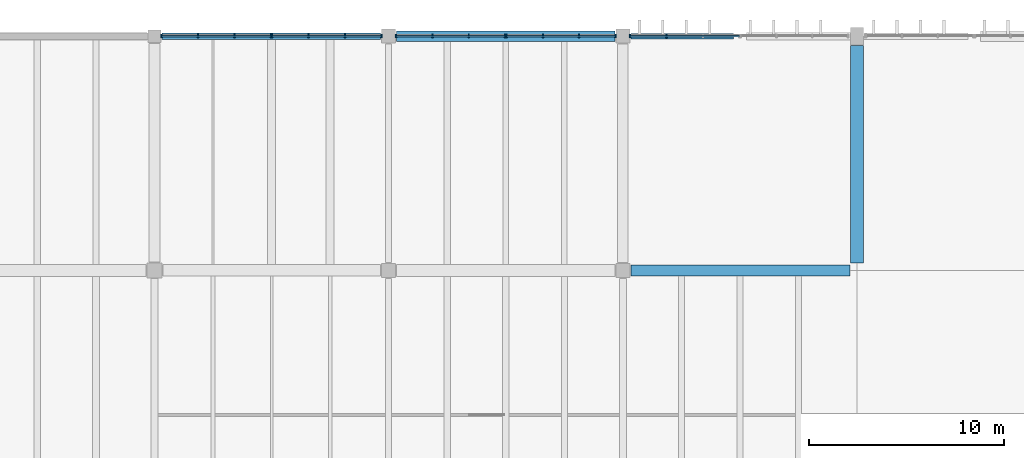
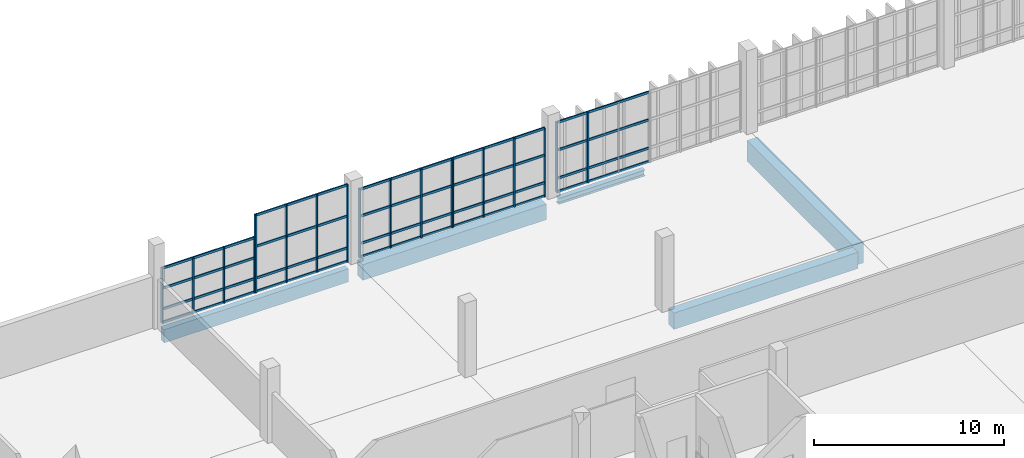
# One storey, part 52 of 112: 38 members, 5 beams, 5 elements without a shape of their own.
"""IFC4 building model written with IfcOpenShell, lengths in metres."""

from ifc_helpers import new_model, si_unit, direction, frame, origin, origin_2d, place, context, subcontext, project, spatial, rectangle, i_section, extrude, material, material_profile, profile_set, type_object, element, aggregate, save


model = new_model("IFC4")

# Units and contexts
model_context = context("Model", 3, precision=1e-05, world=origin(), true_north=direction((0.0, 1.0)))
body_context = subcontext(model_context, "Body", "Model", "MODEL_VIEW")
ifc_project = project(units=[si_unit("LENGTHUNIT", "METRE"), si_unit("AREAUNIT", "SQUARE_METRE"), si_unit("VOLUMEUNIT", "CUBIC_METRE"), si_unit("PLANEANGLEUNIT", "RADIAN"), si_unit("MASSUNIT", "GRAM", prefix="KILO")], contexts=[model_context])

# Site, building, storey
site_placement = place(None, origin())
site = spatial("IfcSite", under=ifc_project, at=site_placement, CompositionType="ELEMENT")
building_placement = place(site_placement, origin())
building = spatial("IfcBuilding", under=site, at=building_placement, Name="Kamomehara Wholesale Market", CompositionType="ELEMENT")
storey_placement = place(building_placement, frame((0.0, 0.0, 6.60009765625)))
storey = spatial("IfcBuildingStorey", under=building, at=storey_placement, Name="L01", CompositionType="ELEMENT", Elevation=6.60009765625)

# Beams
ifc_material_1 = material(Name="Precast concrete Fc45 (C40/50)", Category="concrete")
ifc_material_profile_1 = material_profile(ifc_material_1, rectangle(XDim=0.550048828125, YDim=1.050048828125, at=origin_2d()), Name="PC-GRD-550x1050")
ifc_profile_set_1 = profile_set([ifc_material_profile_1], Name="Precast concrete Fc45 (C40/50)")
beam_type_1 = type_object("IfcBeamType", Name="BM-PG1050", PredefinedType="T_BEAM", material=ifc_profile_set_1)
beam_1_placement = place(storey_placement, frame((60.409912109375, 144.0, -0.877197265625), z_axis=(1.0, 0.0, 0.0), x_axis=(0.0, 1.0, 0.0)))
element("IfcBeam", 1, at=beam_1_placement, inside=storey, type_object=beam_type_1, Name="Beam PG-08 L01", PredefinedType="T_BEAM", context=body_context, shape_type="SweptSolid", body=[
    extrude(rectangle(XDim=0.550048828125, YDim=1.050048828125, at=origin_2d()), origin(), (0.0, 0.0, 1.0), 11.215087890625),
])
ifc_material_2 = material(Name="Precast concrete Fc45 (C40/50)", Category="concrete")
ifc_material_profile_2 = material_profile(ifc_material_2, rectangle(XDim=0.64990234375, YDim=1.35009765625, at=origin_2d()), Name="PC-GRD-650x1350")
ifc_profile_set_2 = profile_set([ifc_material_profile_2], Name="Precast concrete Fc45 (C40/50)")
beam_type_2 = type_object("IfcBeamType", Name="BM-PG1350", PredefinedType="T_BEAM", material=ifc_profile_set_2)
beam_2_placement = place(storey_placement, frame((72.0, 144.375, -1.007080078125), z_axis=(0.0, 1.0, 0.0), x_axis=(-1.0, 0.0, 0.0)))
element("IfcBeam", 2, at=beam_2_placement, inside=storey, type_object=beam_type_2, Name="Beam PG-03 L01", PredefinedType="T_BEAM", context=body_context, shape_type="SweptSolid", body=[
    extrude(rectangle(XDim=0.64990234375, YDim=1.35009765625, at=origin_2d()), origin(), (0.0, 0.0, 1.0), 11.14990234375),
])
ifc_material_3 = material(Name="Concrete Fc36 (C35/45)", Category="concrete")
ifc_material_profile_3 = material_profile(ifc_material_3, rectangle(XDim=0.550048828125, YDim=1.0, at=origin_2d()), Name="RC-SEB-550x1000")
ifc_profile_set_3 = profile_set([ifc_material_profile_3], Name="Concrete Fc36 (C35/45)")
beam_type_3 = type_object("IfcBeamType", Name="BM-SEB1000-EXT", PredefinedType="SPANDREL", material=ifc_profile_set_3)
beam_3_placement = place(storey_placement, frame((48.409912109375, 156.0, -0.822021484375), z_axis=(1.0, 0.0, 0.0), x_axis=(0.0, 1.0, 0.0)))
element("IfcBeam", 3, at=beam_3_placement, inside=storey, type_object=beam_type_3, Name="Beam SEB-03E L01", PredefinedType="SPANDREL", context=body_context, shape_type="SweptSolid", body=[
    extrude(rectangle(XDim=0.550048828125, YDim=1.0, at=origin_2d()), origin(), (0.0, 0.0, 1.0), 11.18017578125),
])
ifc_material_4 = material(Name="Precast concrete Fc45 (C40/50)", Category="concrete")
ifc_material_profile_4 = material_profile(ifc_material_4, rectangle(XDim=0.35009765625, YDim=0.85009765625, at=origin_2d()), Name="PC-SPN-350x850")
ifc_profile_set_4 = profile_set([ifc_material_profile_4], Name="Precast concrete Fc45 (C40/50)")
beam_type_4 = type_object("IfcBeamType", Name="BM-SPN850-EXT", PredefinedType="SPANDREL", material=ifc_profile_set_4)
beam_4_placement = place(storey_placement, frame((36.375, 156.0, -0.76708984375), z_axis=(1.0, 0.0, 0.0), x_axis=(0.0, 1.0, 0.0)))
element("IfcBeam", 4, at=beam_4_placement, inside=storey, type_object=beam_type_4, Name="Beam SPN-02E L01", PredefinedType="SPANDREL", context=body_context, shape_type="SweptSolid", body=[
    extrude(rectangle(XDim=0.35009765625, YDim=0.85009765625, at=origin_2d()), origin(), (0.0, 0.0, 1.0), 11.215087890625),
])
ifc_material_5 = material(Name="Steel SN490B", Category="steel")
ifc_material_profile_5 = material_profile(ifc_material_5, i_section(OverallWidth=0.300048828125, OverallDepth=0.389892578125, WebThickness=0.010009765625, FlangeThickness=0.01611328125, FilletRadius=0.01806640625, at=origin_2d()), Name="H-390x300x10x16")
ifc_profile_set_5 = profile_set([ifc_material_profile_5], Name="Steel SN490B")
beam_type_5 = type_object("IfcBeamType", Name="BM-ST-H390-EXT", PredefinedType="SPANDREL", material=ifc_profile_set_5)
beam_5_placement = place(storey_placement, frame((60.409912109375, 156.0, -0.51708984375), z_axis=(1.0, 0.0, 0.0), x_axis=(0.0, 1.0, 0.0)))
element("IfcBeam", 5, at=beam_5_placement, inside=storey, type_object=beam_type_5, Name="Beam SJ-03E L01", PredefinedType="SPANDREL", context=body_context, shape_type="SweptSolid", body=[
    extrude(i_section(OverallWidth=0.300048828125, OverallDepth=0.389892578125, WebThickness=0.010009765625, FlangeThickness=0.01611328125, FilletRadius=0.01806640625, at=origin_2d()), origin(), (0.0, 0.0, 1.0), 5.26513671875),
])

# Curtain wall, members
ifc_material_6 = material(Name="Anodised aluminium 6063-T5", Category="aluminium")
curtain_wall_type = type_object("IfcCurtainWallType", Name="CW-UN-02", PredefinedType="NOTDEFINED", material=ifc_material_6)
curtain_wall_1_placement = place(storey_placement, origin())
curtain_wall_1 = element("IfcCurtainWall", 6, at=curtain_wall_1_placement, inside=storey, type_object=curtain_wall_type, Name="Unitised curtain wall CW-049", PredefinedType="NOTDEFINED")
ifc_material_7 = material(Name="Anodised aluminium 6063-T5", Category="aluminium")
ifc_material_profile_6 = material_profile(ifc_material_7, rectangle(XDim=0.074951171875, YDim=0.179931640625, at=origin_2d()), Name="ALU-MUL-75x180")
ifc_profile_set_6 = profile_set([ifc_material_profile_6], Name="Anodised aluminium 6063-T5")
member_type_1 = type_object("IfcMemberType", Name="CW-MUL-180", PredefinedType="MULLION", material=ifc_profile_set_6)
member_1_placement = place(storey_placement, frame((36.35009765625, 156.0, 0.0), z_axis=(0.0, 0.0, 1.0), x_axis=(1.0, 0.0, 0.0)))
member_1 = element("IfcMember", 7, at=member_1_placement, type_object=member_type_1, Name="Mullion CW-049.0", PredefinedType="MULLION", context=body_context, shape_type="SweptSolid", body=[
    extrude(rectangle(XDim=0.074951171875, YDim=0.179931640625, at=origin_2d()), origin(), (0.0, 0.0, 1.0), 3.56884765625),
])
member_2_placement = place(storey_placement, frame((38.222900390625, 156.0, 0.0), z_axis=(0.0, 0.0, 1.0), x_axis=(1.0, 0.0, 0.0)))
member_2 = element("IfcMember", 8, at=member_2_placement, type_object=member_type_1, Name="Mullion CW-049.1", PredefinedType="MULLION", context=body_context, shape_type="SweptSolid", body=[
    extrude(rectangle(XDim=0.074951171875, YDim=0.179931640625, at=origin_2d()), origin(), (0.0, 0.0, 1.0), 3.56884765625),
])
member_3_placement = place(storey_placement, frame((40.096923828125, 156.0, 0.0), z_axis=(0.0, 0.0, 1.0), x_axis=(1.0, 0.0, 0.0)))
member_3 = element("IfcMember", 9, at=member_3_placement, type_object=member_type_1, Name="Mullion CW-049.2", PredefinedType="MULLION", context=body_context, shape_type="SweptSolid", body=[
    extrude(rectangle(XDim=0.074951171875, YDim=0.179931640625, at=origin_2d()), origin(), (0.0, 0.0, 1.0), 3.56884765625),
])
member_4_placement = place(storey_placement, frame((41.969970703125, 156.0, 0.0), z_axis=(0.0, 0.0, 1.0), x_axis=(1.0, 0.0, 0.0)))
member_4 = element("IfcMember", 10, at=member_4_placement, type_object=member_type_1, Name="Mullion CW-049.3", PredefinedType="MULLION", context=body_context, shape_type="SweptSolid", body=[
    extrude(rectangle(XDim=0.074951171875, YDim=0.179931640625, at=origin_2d()), origin(), (0.0, 0.0, 1.0), 3.56884765625),
])

curtain_wall_2_placement = place(storey_placement, origin())
curtain_wall_2 = element("IfcCurtainWall", 11, at=curtain_wall_2_placement, inside=storey, type_object=curtain_wall_type, Name="Unitised curtain wall CW-050", PredefinedType="NOTDEFINED")
member_5_placement = place(storey_placement, frame((42.030029296875, 156.0, 0.0), z_axis=(0.0, 0.0, 1.0), x_axis=(1.0, 0.0, 0.0)))
member_5 = element("IfcMember", 12, at=member_5_placement, type_object=member_type_1, Name="Mullion CW-050.0", PredefinedType="MULLION", context=body_context, shape_type="SweptSolid", body=[
    extrude(rectangle(XDim=0.074951171875, YDim=0.179931640625, at=origin_2d()), origin(), (0.0, 0.0, 1.0), 4.989990234375),
])
member_6_placement = place(storey_placement, frame((43.89697265625, 156.0, 0.0), z_axis=(0.0, 0.0, 1.0), x_axis=(1.0, 0.0, 0.0)))
member_6 = element("IfcMember", 13, at=member_6_placement, type_object=member_type_1, Name="Mullion CW-050.1", PredefinedType="MULLION", context=body_context, shape_type="SweptSolid", body=[
    extrude(rectangle(XDim=0.074951171875, YDim=0.179931640625, at=origin_2d()), origin(), (0.0, 0.0, 1.0), 4.989990234375),
])
member_7_placement = place(storey_placement, frame((45.762939453125, 156.0, 0.0), z_axis=(0.0, 0.0, 1.0), x_axis=(1.0, 0.0, 0.0)))
member_7 = element("IfcMember", 14, at=member_7_placement, type_object=member_type_1, Name="Mullion CW-050.2", PredefinedType="MULLION", context=body_context, shape_type="SweptSolid", body=[
    extrude(rectangle(XDim=0.074951171875, YDim=0.179931640625, at=origin_2d()), origin(), (0.0, 0.0, 1.0), 4.989990234375),
])
member_8_placement = place(storey_placement, frame((47.6298828125, 156.0, 0.0), z_axis=(0.0, 0.0, 1.0), x_axis=(1.0, 0.0, 0.0)))
member_8 = element("IfcMember", 15, at=member_8_placement, type_object=member_type_1, Name="Mullion CW-050.3", PredefinedType="MULLION", context=body_context, shape_type="SweptSolid", body=[
    extrude(rectangle(XDim=0.074951171875, YDim=0.179931640625, at=origin_2d()), origin(), (0.0, 0.0, 1.0), 4.989990234375),
])

curtain_wall_3_placement = place(storey_placement, origin())
curtain_wall_3 = element("IfcCurtainWall", 16, at=curtain_wall_3_placement, inside=storey, type_object=curtain_wall_type, Name="Unitised curtain wall CW-053", PredefinedType="NOTDEFINED")
member_9_placement = place(storey_placement, frame((48.3701171875, 156.0, 0.0), z_axis=(0.0, 0.0, 1.0), x_axis=(1.0, 0.0, 0.0)))
member_9 = element("IfcMember", 17, at=member_9_placement, type_object=member_type_1, Name="Mullion CW-053.0", PredefinedType="MULLION", context=body_context, shape_type="SweptSolid", body=[
    extrude(rectangle(XDim=0.074951171875, YDim=0.179931640625, at=origin_2d()), origin(), (0.0, 0.0, 1.0), 4.429931640625),
])
member_10_placement = place(storey_placement, frame((50.237060546875, 156.0, 0.0), z_axis=(0.0, 0.0, 1.0), x_axis=(1.0, 0.0, 0.0)))
member_10 = element("IfcMember", 18, at=member_10_placement, type_object=member_type_1, Name="Mullion CW-053.1", PredefinedType="MULLION", context=body_context, shape_type="SweptSolid", body=[
    extrude(rectangle(XDim=0.074951171875, YDim=0.179931640625, at=origin_2d()), origin(), (0.0, 0.0, 1.0), 4.429931640625),
])
member_11_placement = place(storey_placement, frame((52.10302734375, 156.0, 0.0), z_axis=(0.0, 0.0, 1.0), x_axis=(1.0, 0.0, 0.0)))
member_11 = element("IfcMember", 19, at=member_11_placement, type_object=member_type_1, Name="Mullion CW-053.2", PredefinedType="MULLION", context=body_context, shape_type="SweptSolid", body=[
    extrude(rectangle(XDim=0.074951171875, YDim=0.179931640625, at=origin_2d()), origin(), (0.0, 0.0, 1.0), 4.429931640625),
])
member_12_placement = place(storey_placement, frame((53.969970703125, 156.0, 0.0), z_axis=(0.0, 0.0, 1.0), x_axis=(1.0, 0.0, 0.0)))
member_12 = element("IfcMember", 20, at=member_12_placement, type_object=member_type_1, Name="Mullion CW-053.3", PredefinedType="MULLION", context=body_context, shape_type="SweptSolid", body=[
    extrude(rectangle(XDim=0.074951171875, YDim=0.179931640625, at=origin_2d()), origin(), (0.0, 0.0, 1.0), 4.429931640625),
])

curtain_wall_4_placement = place(storey_placement, origin())
curtain_wall_4 = element("IfcCurtainWall", 21, at=curtain_wall_4_placement, inside=storey, type_object=curtain_wall_type, Name="Unitised curtain wall CW-054", PredefinedType="NOTDEFINED")
member_13_placement = place(storey_placement, frame((54.030029296875, 156.0, 0.0), z_axis=(0.0, 0.0, 1.0), x_axis=(1.0, 0.0, 0.0)))
member_13 = element("IfcMember", 22, at=member_13_placement, type_object=member_type_1, Name="Mullion CW-054.0", PredefinedType="MULLION", context=body_context, shape_type="SweptSolid", body=[
    extrude(rectangle(XDim=0.074951171875, YDim=0.179931640625, at=origin_2d()), origin(), (0.0, 0.0, 1.0), 4.429931640625),
])
member_14_placement = place(storey_placement, frame((55.89697265625, 156.0, 0.0), z_axis=(0.0, 0.0, 1.0), x_axis=(1.0, 0.0, 0.0)))
member_14 = element("IfcMember", 23, at=member_14_placement, type_object=member_type_1, Name="Mullion CW-054.1", PredefinedType="MULLION", context=body_context, shape_type="SweptSolid", body=[
    extrude(rectangle(XDim=0.074951171875, YDim=0.179931640625, at=origin_2d()), origin(), (0.0, 0.0, 1.0), 4.429931640625),
])
member_15_placement = place(storey_placement, frame((57.762939453125, 156.0, 0.0), z_axis=(0.0, 0.0, 1.0), x_axis=(1.0, 0.0, 0.0)))
member_15 = element("IfcMember", 24, at=member_15_placement, type_object=member_type_1, Name="Mullion CW-054.2", PredefinedType="MULLION", context=body_context, shape_type="SweptSolid", body=[
    extrude(rectangle(XDim=0.074951171875, YDim=0.179931640625, at=origin_2d()), origin(), (0.0, 0.0, 1.0), 4.429931640625),
])
member_16_placement = place(storey_placement, frame((59.6298828125, 156.0, 0.0), z_axis=(0.0, 0.0, 1.0), x_axis=(1.0, 0.0, 0.0)))
member_16 = element("IfcMember", 25, at=member_16_placement, type_object=member_type_1, Name="Mullion CW-054.3", PredefinedType="MULLION", context=body_context, shape_type="SweptSolid", body=[
    extrude(rectangle(XDim=0.074951171875, YDim=0.179931640625, at=origin_2d()), origin(), (0.0, 0.0, 1.0), 4.429931640625),
])

curtain_wall_5_placement = place(storey_placement, origin())
curtain_wall_5 = element("IfcCurtainWall", 26, at=curtain_wall_5_placement, inside=storey, type_object=curtain_wall_type, Name="Unitised curtain wall CW-057", PredefinedType="NOTDEFINED")
member_17_placement = place(storey_placement, frame((60.3701171875, 156.0, 0.0), z_axis=(0.0, 0.0, 1.0), x_axis=(1.0, 0.0, 0.0)))
member_17 = element("IfcMember", 27, at=member_17_placement, type_object=member_type_1, Name="Mullion CW-057.0", PredefinedType="MULLION", context=body_context, shape_type="SweptSolid", body=[
    extrude(rectangle(XDim=0.074951171875, YDim=0.179931640625, at=origin_2d()), origin(), (0.0, 0.0, 1.0), 4.52978515625),
])
member_18_placement = place(storey_placement, frame((62.237060546875, 156.0, 0.0), z_axis=(0.0, 0.0, 1.0), x_axis=(1.0, 0.0, 0.0)))
member_18 = element("IfcMember", 28, at=member_18_placement, type_object=member_type_1, Name="Mullion CW-057.1", PredefinedType="MULLION", context=body_context, shape_type="SweptSolid", body=[
    extrude(rectangle(XDim=0.074951171875, YDim=0.179931640625, at=origin_2d()), origin(), (0.0, 0.0, 1.0), 4.52978515625),
])

# Member
ifc_material_8 = material(Name="Anodised aluminium 6063-T5", Category="aluminium")
ifc_material_profile_7 = material_profile(ifc_material_8, rectangle(XDim=0.074951171875, YDim=0.14990234375, at=origin_2d()), Name="ALU-TRN-75x150")
ifc_profile_set_7 = profile_set([ifc_material_profile_7], Name="Anodised aluminium 6063-T5")
member_type_2 = type_object("IfcMemberType", Name="CW-TRN-150", PredefinedType="USERDEFINED", material=ifc_profile_set_7)
member_19_placement = place(storey_placement, frame((36.35009765625, 156.0, 0.039794921875), z_axis=(1.0, 0.0, 0.0), x_axis=(0.0, 1.0, 0.0)))
member_19 = element("IfcMember", 29, at=member_19_placement, type_object=member_type_2, Name="Transom CW-049.0", ObjectType="TRANSOM", PredefinedType="USERDEFINED", context=body_context, shape_type="SweptSolid", body=[
    extrude(rectangle(XDim=0.074951171875, YDim=0.14990234375, at=origin_2d()), origin(), (0.0, 0.0, 1.0), 5.619873046875),
])

member_20_placement = place(storey_placement, frame((36.35009765625, 156.0, 0.89990234375), z_axis=(1.0, 0.0, 0.0), x_axis=(0.0, 1.0, 0.0)))
member_20 = element("IfcMember", 30, at=member_20_placement, type_object=member_type_2, Name="Transom CW-049.1", ObjectType="TRANSOM", PredefinedType="USERDEFINED", context=body_context, shape_type="SweptSolid", body=[
    extrude(rectangle(XDim=0.074951171875, YDim=0.14990234375, at=origin_2d()), origin(), (0.0, 0.0, 1.0), 5.619873046875),
])

member_21_placement = place(storey_placement, frame((36.35009765625, 156.0, 2.23486328125), z_axis=(1.0, 0.0, 0.0), x_axis=(0.0, 1.0, 0.0)))
member_21 = element("IfcMember", 31, at=member_21_placement, type_object=member_type_2, Name="Transom CW-049.2", ObjectType="TRANSOM", PredefinedType="USERDEFINED", context=body_context, shape_type="SweptSolid", body=[
    extrude(rectangle(XDim=0.074951171875, YDim=0.14990234375, at=origin_2d()), origin(), (0.0, 0.0, 1.0), 5.619873046875),
])

member_22_placement = place(storey_placement, frame((36.35009765625, 156.0, 3.52880859375), z_axis=(1.0, 0.0, 0.0), x_axis=(0.0, 1.0, 0.0)))
member_22 = element("IfcMember", 32, at=member_22_placement, type_object=member_type_2, Name="Transom CW-049.3", ObjectType="TRANSOM", PredefinedType="USERDEFINED", context=body_context, shape_type="SweptSolid", body=[
    extrude(rectangle(XDim=0.074951171875, YDim=0.14990234375, at=origin_2d()), origin(), (0.0, 0.0, 1.0), 5.619873046875),
])

aggregate(curtain_wall_1, [member_1, member_2, member_3, member_4, member_19, member_20, member_21, member_22])

member_23_placement = place(storey_placement, frame((42.030029296875, 156.0, 0.039794921875), z_axis=(1.0, 0.0, 0.0), x_axis=(0.0, 1.0, 0.0)))
member_23 = element("IfcMember", 33, at=member_23_placement, type_object=member_type_2, Name="Transom CW-050.0", ObjectType="TRANSOM", PredefinedType="USERDEFINED", context=body_context, shape_type="SweptSolid", body=[
    extrude(rectangle(XDim=0.074951171875, YDim=0.14990234375, at=origin_2d()), origin(), (0.0, 0.0, 1.0), 5.599853515625),
])

member_24_placement = place(storey_placement, frame((42.030029296875, 156.0, 0.89990234375), z_axis=(1.0, 0.0, 0.0), x_axis=(0.0, 1.0, 0.0)))
member_24 = element("IfcMember", 34, at=member_24_placement, type_object=member_type_2, Name="Transom CW-050.1", ObjectType="TRANSOM", PredefinedType="USERDEFINED", context=body_context, shape_type="SweptSolid", body=[
    extrude(rectangle(XDim=0.074951171875, YDim=0.14990234375, at=origin_2d()), origin(), (0.0, 0.0, 1.0), 5.599853515625),
])

member_25_placement = place(storey_placement, frame((42.030029296875, 156.0, 2.94482421875), z_axis=(1.0, 0.0, 0.0), x_axis=(0.0, 1.0, 0.0)))
member_25 = element("IfcMember", 35, at=member_25_placement, type_object=member_type_2, Name="Transom CW-050.2", ObjectType="TRANSOM", PredefinedType="USERDEFINED", context=body_context, shape_type="SweptSolid", body=[
    extrude(rectangle(XDim=0.074951171875, YDim=0.14990234375, at=origin_2d()), origin(), (0.0, 0.0, 1.0), 5.599853515625),
])

member_26_placement = place(storey_placement, frame((42.030029296875, 156.0, 4.949951171875), z_axis=(1.0, 0.0, 0.0), x_axis=(0.0, 1.0, 0.0)))
member_26 = element("IfcMember", 36, at=member_26_placement, type_object=member_type_2, Name="Transom CW-050.3", ObjectType="TRANSOM", PredefinedType="USERDEFINED", context=body_context, shape_type="SweptSolid", body=[
    extrude(rectangle(XDim=0.074951171875, YDim=0.14990234375, at=origin_2d()), origin(), (0.0, 0.0, 1.0), 5.599853515625),
])

aggregate(curtain_wall_2, [member_5, member_6, member_7, member_8, member_23, member_24, member_25, member_26])

member_27_placement = place(storey_placement, frame((48.3701171875, 156.0, 0.039794921875), z_axis=(1.0, 0.0, 0.0), x_axis=(0.0, 1.0, 0.0)))
member_27 = element("IfcMember", 37, at=member_27_placement, type_object=member_type_2, Name="Transom CW-053.0", ObjectType="TRANSOM", PredefinedType="USERDEFINED", context=body_context, shape_type="SweptSolid", body=[
    extrude(rectangle(XDim=0.074951171875, YDim=0.14990234375, at=origin_2d()), origin(), (0.0, 0.0, 1.0), 5.599853515625),
])

member_28_placement = place(storey_placement, frame((48.3701171875, 156.0, 0.89990234375), z_axis=(1.0, 0.0, 0.0), x_axis=(0.0, 1.0, 0.0)))
member_28 = element("IfcMember", 38, at=member_28_placement, type_object=member_type_2, Name="Transom CW-053.1", ObjectType="TRANSOM", PredefinedType="USERDEFINED", context=body_context, shape_type="SweptSolid", body=[
    extrude(rectangle(XDim=0.074951171875, YDim=0.14990234375, at=origin_2d()), origin(), (0.0, 0.0, 1.0), 5.599853515625),
])

member_29_placement = place(storey_placement, frame((48.3701171875, 156.0, 2.664794921875), z_axis=(1.0, 0.0, 0.0), x_axis=(0.0, 1.0, 0.0)))
member_29 = element("IfcMember", 39, at=member_29_placement, type_object=member_type_2, Name="Transom CW-053.2", ObjectType="TRANSOM", PredefinedType="USERDEFINED", context=body_context, shape_type="SweptSolid", body=[
    extrude(rectangle(XDim=0.074951171875, YDim=0.14990234375, at=origin_2d()), origin(), (0.0, 0.0, 1.0), 5.599853515625),
])

member_30_placement = place(storey_placement, frame((48.3701171875, 156.0, 4.389892578125), z_axis=(1.0, 0.0, 0.0), x_axis=(0.0, 1.0, 0.0)))
member_30 = element("IfcMember", 40, at=member_30_placement, type_object=member_type_2, Name="Transom CW-053.3", ObjectType="TRANSOM", PredefinedType="USERDEFINED", context=body_context, shape_type="SweptSolid", body=[
    extrude(rectangle(XDim=0.074951171875, YDim=0.14990234375, at=origin_2d()), origin(), (0.0, 0.0, 1.0), 5.599853515625),
])

aggregate(curtain_wall_3, [member_9, member_10, member_11, member_12, member_27, member_28, member_29, member_30])

member_31_placement = place(storey_placement, frame((54.030029296875, 156.0, 0.039794921875), z_axis=(1.0, 0.0, 0.0), x_axis=(0.0, 1.0, 0.0)))
member_31 = element("IfcMember", 41, at=member_31_placement, type_object=member_type_2, Name="Transom CW-054.0", ObjectType="TRANSOM", PredefinedType="USERDEFINED", context=body_context, shape_type="SweptSolid", body=[
    extrude(rectangle(XDim=0.074951171875, YDim=0.14990234375, at=origin_2d()), origin(), (0.0, 0.0, 1.0), 5.599853515625),
])

member_32_placement = place(storey_placement, frame((54.030029296875, 156.0, 0.89990234375), z_axis=(1.0, 0.0, 0.0), x_axis=(0.0, 1.0, 0.0)))
member_32 = element("IfcMember", 42, at=member_32_placement, type_object=member_type_2, Name="Transom CW-054.1", ObjectType="TRANSOM", PredefinedType="USERDEFINED", context=body_context, shape_type="SweptSolid", body=[
    extrude(rectangle(XDim=0.074951171875, YDim=0.14990234375, at=origin_2d()), origin(), (0.0, 0.0, 1.0), 5.599853515625),
])

member_33_placement = place(storey_placement, frame((54.030029296875, 156.0, 2.664794921875), z_axis=(1.0, 0.0, 0.0), x_axis=(0.0, 1.0, 0.0)))
member_33 = element("IfcMember", 43, at=member_33_placement, type_object=member_type_2, Name="Transom CW-054.2", ObjectType="TRANSOM", PredefinedType="USERDEFINED", context=body_context, shape_type="SweptSolid", body=[
    extrude(rectangle(XDim=0.074951171875, YDim=0.14990234375, at=origin_2d()), origin(), (0.0, 0.0, 1.0), 5.599853515625),
])

member_34_placement = place(storey_placement, frame((54.030029296875, 156.0, 4.389892578125), z_axis=(1.0, 0.0, 0.0), x_axis=(0.0, 1.0, 0.0)))
member_34 = element("IfcMember", 44, at=member_34_placement, type_object=member_type_2, Name="Transom CW-054.3", ObjectType="TRANSOM", PredefinedType="USERDEFINED", context=body_context, shape_type="SweptSolid", body=[
    extrude(rectangle(XDim=0.074951171875, YDim=0.14990234375, at=origin_2d()), origin(), (0.0, 0.0, 1.0), 5.599853515625),
])

aggregate(curtain_wall_4, [member_13, member_14, member_15, member_16, member_31, member_32, member_33, member_34])

member_35_placement = place(storey_placement, frame((60.3701171875, 156.0, 0.039794921875), z_axis=(1.0, 0.0, 0.0), x_axis=(0.0, 1.0, 0.0)))
member_35 = element("IfcMember", 45, at=member_35_placement, type_object=member_type_2, Name="Transom CW-057.0", ObjectType="TRANSOM", PredefinedType="USERDEFINED", context=body_context, shape_type="SweptSolid", body=[
    extrude(rectangle(XDim=0.074951171875, YDim=0.14990234375, at=origin_2d()), origin(), (0.0, 0.0, 1.0), 5.599853515625),
])

member_36_placement = place(storey_placement, frame((60.3701171875, 156.0, 0.89990234375), z_axis=(1.0, 0.0, 0.0), x_axis=(0.0, 1.0, 0.0)))
member_36 = element("IfcMember", 46, at=member_36_placement, type_object=member_type_2, Name="Transom CW-057.1", ObjectType="TRANSOM", PredefinedType="USERDEFINED", context=body_context, shape_type="SweptSolid", body=[
    extrude(rectangle(XDim=0.074951171875, YDim=0.14990234375, at=origin_2d()), origin(), (0.0, 0.0, 1.0), 5.599853515625),
])

member_37_placement = place(storey_placement, frame((60.3701171875, 156.0, 2.71484375), z_axis=(1.0, 0.0, 0.0), x_axis=(0.0, 1.0, 0.0)))
member_37 = element("IfcMember", 47, at=member_37_placement, type_object=member_type_2, Name="Transom CW-057.2", ObjectType="TRANSOM", PredefinedType="USERDEFINED", context=body_context, shape_type="SweptSolid", body=[
    extrude(rectangle(XDim=0.074951171875, YDim=0.14990234375, at=origin_2d()), origin(), (0.0, 0.0, 1.0), 5.599853515625),
])

member_38_placement = place(storey_placement, frame((60.3701171875, 156.0, 4.489990234375), z_axis=(1.0, 0.0, 0.0), x_axis=(0.0, 1.0, 0.0)))
member_38 = element("IfcMember", 48, at=member_38_placement, type_object=member_type_2, Name="Transom CW-057.3", ObjectType="TRANSOM", PredefinedType="USERDEFINED", context=body_context, shape_type="SweptSolid", body=[
    extrude(rectangle(XDim=0.074951171875, YDim=0.14990234375, at=origin_2d()), origin(), (0.0, 0.0, 1.0), 5.599853515625),
])

aggregate(curtain_wall_5, [member_17, member_18, member_35, member_36, member_37, member_38])

save(model, "model.ifc")
